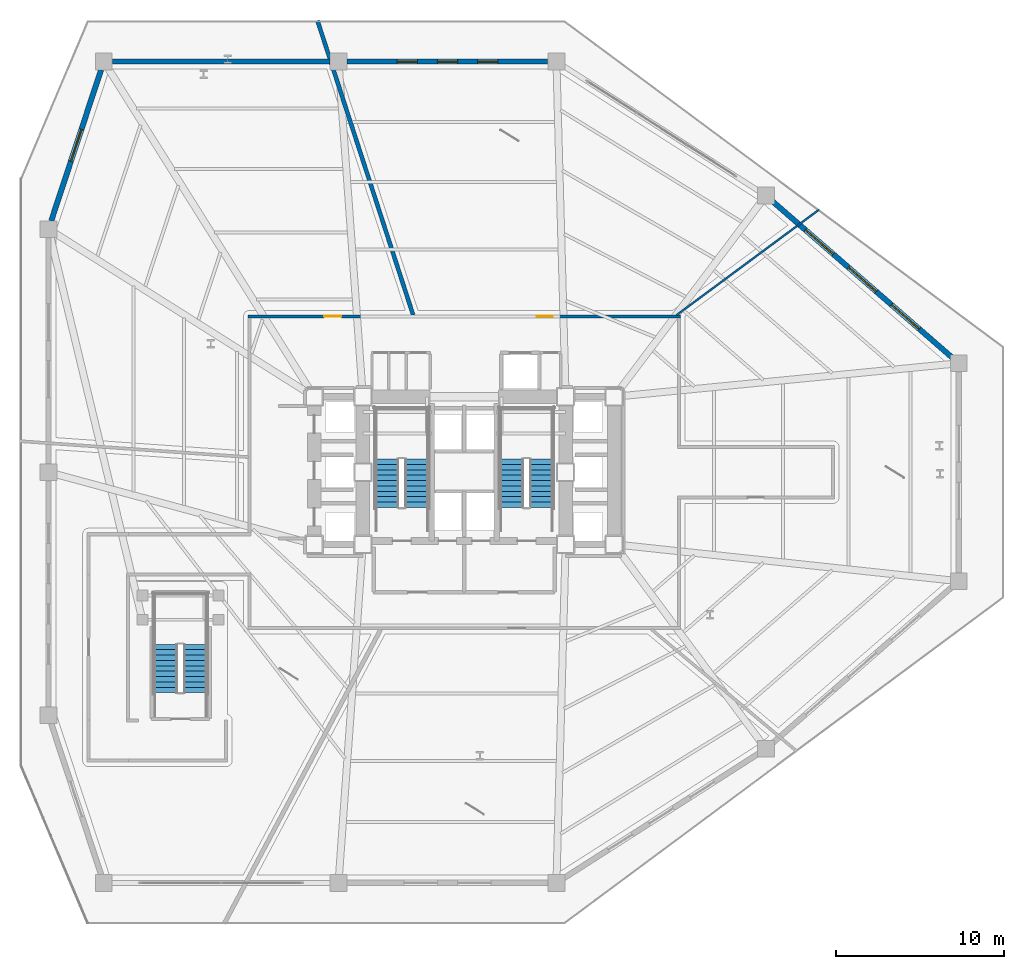
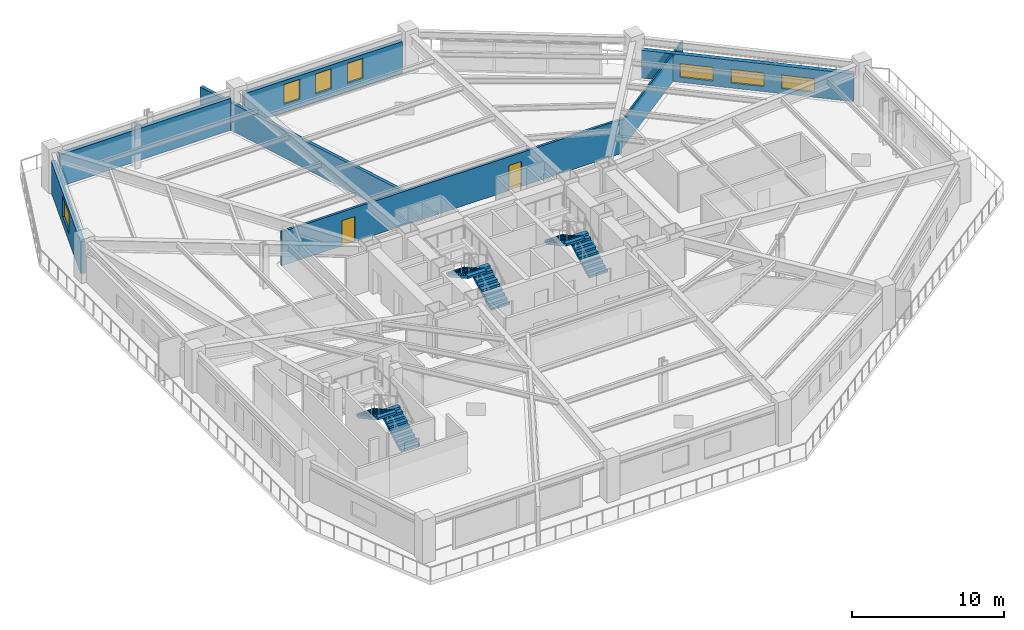
# One storey, part 8 of 12: 7 walls, 7 windows, 6 stair flights, 2 doors, 9 openings, 3 elements without a shape of their own.
"""IFC4 building model written with IfcOpenShell, lengths in metres."""

from ifc_helpers import new_model, si_unit, direction, frame, frame_2d, origin, place, context, subcontext, project, spatial, polyline, rectangle, outline, extrude, material, layer, layer_set, type_object, element, fill, aggregate, save


model = new_model("IFC4")

# Units and contexts
model_context = context("Model", 3, precision=1e-05, world=origin(), true_north=direction((0.0, 1.0)))
body_context = subcontext(model_context, "Body", "Model", "MODEL_VIEW")
ifc_project = project(units=[si_unit("LENGTHUNIT", "METRE"), si_unit("AREAUNIT", "SQUARE_METRE"), si_unit("VOLUMEUNIT", "CUBIC_METRE"), si_unit("PLANEANGLEUNIT", "RADIAN"), si_unit("MASSUNIT", "GRAM", prefix="KILO")], contexts=[model_context])

# Site, building, storey
site_placement = place(None, origin())
site = spatial("IfcSite", under=ifc_project, at=site_placement, CompositionType="ELEMENT")
building_placement = place(site_placement, origin())
building = spatial("IfcBuilding", under=site, at=building_placement, Name="Rocaltana Carrier Exchange", CompositionType="ELEMENT")
storey_placement = place(building_placement, frame((0.0, 0.0, 11.840087890625)))
storey = spatial("IfcBuildingStorey", under=building, at=storey_placement, Name="L04", CompositionType="ELEMENT", Elevation=11.840087890625)

# Wall, openings, doors
ifc_material_1 = material(Name="Gypsum & Steel Stud Partition", Category="steel")
ifc_layer_1 = layer(ifc_material_1, 0.179931640625)
ifc_layer_set_1 = layer_set([ifc_layer_1], Name="Gypsum & Steel Stud Partition")
wall_type_1 = type_object("IfcWallType", Name="Corridor Fire Partition 180 EI60", PredefinedType="PARTITIONING", material=ifc_layer_set_1)
wall_1_placement = place(storey_placement, frame((-12.889892578125, 9.300048828125, 0.0), z_axis=(0.0, 0.0, 1.0), x_axis=(1.0, 0.0, 0.0)))
wall_1 = element("IfcWall", 1, at=wall_1_placement, inside=storey, type_object=wall_type_1, Name="L04 Corridor Partition 8", PredefinedType="PARTITIONING", context=body_context, shape_type="SweptSolid", body=[
    extrude(rectangle(XDim=25.77978515625, YDim=0.179931640625, at=frame_2d((12.889892578125, 0.0))), origin(), (0.0, 0.0, 1.0), 2.719970703125),
])
opening_1_placement = place(wall_1_placement, frame((17.2021484375, 0.0, 0.0)))
opening_1 = element("IfcOpeningElement", 2, at=opening_1_placement, cuts=wall_1, Name="Opening D-RM098", PredefinedType="OPENING", context=body_context, shape_type="SweptSolid", body=[
    extrude(rectangle(XDim=0.9599609375, YDim=2.02001953125, at=frame_2d((0.47998046875, 1.010009765625))), frame((0.0, 0.099853515625, 0.0), z_axis=(0.0, -1.0, 0.0), x_axis=(1.0, 0.0, 0.0)), (0.0, 0.0, 1.0), 0.199951171875),
])
opening_2_placement = place(wall_1_placement, frame((4.539306640625, 0.0, 0.0)))
opening_2 = element("IfcOpeningElement", 3, at=opening_2_placement, cuts=wall_1, Name="Opening D-LB104", PredefinedType="OPENING", context=body_context, shape_type="SweptSolid", body=[
    extrude(rectangle(XDim=1.02001953125, YDim=2.02001953125, at=frame_2d((0.510009765625, 1.010009765625))), frame((0.0, 0.099853515625, 0.0), z_axis=(0.0, -1.0, 0.0), x_axis=(1.0, 0.0, 0.0)), (0.0, 0.0, 1.0), 0.199951171875),
])
ifc_material_2 = material(Name="Powder-Coated Aluminium 6063-T6", Category="aluminium")
door_type_1 = type_object("IfcDoorType", Name="Laboratory Acoustic Door 1020x2020", OperationType="NOTDEFINED", PredefinedType="DOOR", material=ifc_material_2)
door_1_placement = place(opening_2_placement, origin())
door_1 = element("IfcDoor", 4, at=door_1_placement, inside=storey, type_object=door_type_1, Name="L04 Protocol Calibration Laboratory Entrance Door", OperationType="SINGLE_SWING_LEFT", OverallHeight=2.02001953125, OverallWidth=1.02001953125, PredefinedType="DOOR", context=body_context, shape_type="SweptSolid", body=[
    extrude(rectangle(XDim=1.02001953125, YDim=2.02001953125, at=frame_2d((0.510009765625, 1.010009765625))), frame((0.0, 0.02490234375, 0.0), z_axis=(0.0, -1.0, 0.0), x_axis=(1.0, 0.0, 0.0)), (0.0, 0.0, 1.0), 0.050048828125),
])
fill(opening_2, door_1)
ifc_material_3 = material(Name="Engineered Hardwood Timber", Category="wood")
door_type_2 = type_object("IfcDoorType", Name="Workspace Single Door 960x2020", OperationType="NOTDEFINED", PredefinedType="DOOR", material=ifc_material_3)
door_2_placement = place(opening_1_placement, origin())
door_2 = element("IfcDoor", 5, at=door_2_placement, inside=storey, type_object=door_type_2, Name="L04 Peering Conference Room Entrance Door", OperationType="SINGLE_SWING_RIGHT", OverallHeight=2.02001953125, OverallWidth=0.9599609375, PredefinedType="DOOR", context=body_context, shape_type="SweptSolid", body=[
    extrude(rectangle(XDim=0.9599609375, YDim=2.02001953125, at=frame_2d((0.47998046875, 1.010009765625))), frame((0.0, 0.02490234375, 0.0), z_axis=(0.0, -1.0, 0.0), x_axis=(1.0, 0.0, 0.0)), (0.0, 0.0, 1.0), 0.050048828125),
])
fill(opening_1, door_2)

# Walls
ifc_material_4 = material(Name="Aluminium 6063-T6 & Acoustic Glass", Category="aluminium")
ifc_layer_2 = layer(ifc_material_4, 0.114990234375)
ifc_layer_set_2 = layer_set([ifc_layer_2], Name="Aluminium 6063-T6 & Acoustic Glass")
wall_type_2 = type_object("IfcWallType", Name="Demountable Glazed Lab Partition 115", PredefinedType="MOVABLE", material=ifc_layer_set_2)
wall_2_placement = place(storey_placement, frame((12.67626953125, 9.3798828125, 0.0), z_axis=(0.0, 0.0, 1.0), x_axis=(0.803850730109, 0.594831071568, 0.0)))
element("IfcWall", 6, at=wall_2_placement, inside=storey, type_object=wall_type_2, Name="L04 Suite Divider Wall D3", PredefinedType="MOVABLE", context=body_context, shape_type="SweptSolid", body=[
    extrude(rectangle(XDim=10.5751953125, YDim=0.114990234375, at=frame_2d((5.28759765625, 0.0))), origin(), (0.0, 0.0, 1.0), 2.205810546875),
])
ifc_material_5 = material(Name="Acoustic Calcium Silicate Partition", Category="gypsum")
ifc_layer_3 = layer(ifc_material_5, 0.239990234375)
ifc_layer_set_3 = layer_set([ifc_layer_3], Name="Acoustic Calcium Silicate Partition")
wall_type_3 = type_object("IfcWallType", Name="Heavy Lab Partition 240 EI90", PredefinedType="PARTITIONING", material=ifc_layer_set_3)
wall_3_placement = place(storey_placement, frame((-3.047607421875, 9.3798828125, 0.0), z_axis=(0.0, 0.0, 1.0), x_axis=(-0.309026872476, 0.951053306649, 0.0)))
element("IfcWall", 7, at=wall_3_placement, inside=storey, type_object=wall_type_3, Name="L04 Suite Divider Wall D4", PredefinedType="PARTITIONING", context=body_context, shape_type="SweptSolid", body=[
    extrude(rectangle(XDim=18.4638671875, YDim=0.239990234375, at=frame_2d((9.23193359375, 0.0))), origin(), (0.0, 0.0, 1.0), 2.205810546875),
])

# Wall, openings, windows
ifc_material_6 = material(Name="Precast sandstone concrete C45/55", Category="masonry")
ifc_layer_4 = layer(ifc_material_6, 0.320068359375)
ifc_layer_set_4 = layer_set([ifc_layer_4], Name="Precast sandstone concrete C45/55")
wall_type_4 = type_object("IfcWallType", Name="Precast Sandstone Facade Wall 320", PredefinedType="SOLIDWALL", material=ifc_layer_set_4)
wall_4_placement = place(storey_placement, frame((18.392333984375, 16.15869140625, 0.0), z_axis=(0.0, 0.0, 1.0), x_axis=(0.754615886195, -0.656166796098, 0.0)))
wall_4 = element("IfcWall", 8, at=wall_4_placement, inside=storey, type_object=wall_type_4, Name="L04 Sandstone Facade Wall B06", PredefinedType="SOLIDWALL", context=body_context, shape_type="SweptSolid", body=[
    extrude(rectangle(XDim=14.19970703125, YDim=0.320068359375, at=frame_2d((7.099853515625, 0.0))), origin(), (0.0, 0.0, 1.0), 2.220947265625),
])
opening_3_placement = place(wall_4_placement, frame((2.599853515625, 0.0, 0.39990234375)))
opening_3 = element("IfcOpeningElement", 9, at=opening_3_placement, cuts=wall_4, Name="Opening W-04", PredefinedType="OPENING", context=body_context, shape_type="SweptSolid", body=[
    extrude(rectangle(XDim=2.199951171875, YDim=1.10009765625, at=frame_2d((1.10009765625, 0.550048828125))), frame((0.0, 0.169921875, 0.0), z_axis=(0.0, -1.0, 0.0), x_axis=(1.0, 0.0, 0.0)), (0.0, 0.0, 1.0), 0.340087890625),
])
opening_4_placement = place(wall_4_placement, frame((6.0, 0.0, 0.39990234375)))
opening_4 = element("IfcOpeningElement", 10, at=opening_4_placement, cuts=wall_4, Name="Opening W-04", PredefinedType="OPENING", context=body_context, shape_type="SweptSolid", body=[
    extrude(rectangle(XDim=2.199951171875, YDim=1.10009765625, at=frame_2d((1.10009765625, 0.550048828125))), frame((0.0, 0.169921875, 0.0), z_axis=(0.0, -1.0, 0.0), x_axis=(1.0, 0.0, 0.0)), (0.0, 0.0, 1.0), 0.340087890625),
])
opening_5_placement = place(wall_4_placement, frame((9.39990234375, 0.0, 0.39990234375)))
opening_5 = element("IfcOpeningElement", 11, at=opening_5_placement, cuts=wall_4, Name="Opening W-04", PredefinedType="OPENING", context=body_context, shape_type="SweptSolid", body=[
    extrude(rectangle(XDim=2.199951171875, YDim=1.10009765625, at=frame_2d((1.10009765625, 0.550048828125))), frame((0.0, 0.169921875, 0.0), z_axis=(0.0, -1.0, 0.0), x_axis=(1.0, 0.0, 0.0)), (0.0, 0.0, 1.0), 0.340087890625),
])
ifc_material_7 = material(Name="Aluminium 6063-T6 & Double Glazing", Category="aluminium")
window_type_1 = type_object("IfcWindowType", Name="Podium Clerestory Window 2200x1100", PartitioningType="SINGLE_PANEL", PredefinedType="WINDOW", material=ifc_material_7)
window_1_placement = place(opening_3_placement, origin())
window_1 = element("IfcWindow", 12, at=window_1_placement, inside=storey, type_object=window_type_1, Name="L04 Punched Window B06-1", OverallHeight=1.10009765625, OverallWidth=2.199951171875, PartitioningType="SINGLE_PANEL", PredefinedType="WINDOW", context=body_context, shape_type="SweptSolid", body=[
    extrude(rectangle(XDim=2.199951171875, YDim=1.10009765625, at=frame_2d((1.10009765625, 0.550048828125))), frame((0.0, 0.030029296875, 0.0), z_axis=(0.0, -1.0, 0.0), x_axis=(1.0, 0.0, 0.0)), (0.0, 0.0, 1.0), 0.06005859375),
])
fill(opening_3, window_1)
window_2_placement = place(opening_4_placement, origin())
window_2 = element("IfcWindow", 13, at=window_2_placement, inside=storey, type_object=window_type_1, Name="L04 Punched Window B06-2", OverallHeight=1.10009765625, OverallWidth=2.199951171875, PartitioningType="SINGLE_PANEL", PredefinedType="WINDOW", context=body_context, shape_type="SweptSolid", body=[
    extrude(rectangle(XDim=2.199951171875, YDim=1.10009765625, at=frame_2d((1.10009765625, 0.550048828125))), frame((0.0, 0.030029296875, 0.0), z_axis=(0.0, -1.0, 0.0), x_axis=(1.0, 0.0, 0.0)), (0.0, 0.0, 1.0), 0.06005859375),
])
fill(opening_4, window_2)
window_3_placement = place(opening_5_placement, origin())
window_3 = element("IfcWindow", 14, at=window_3_placement, inside=storey, type_object=window_type_1, Name="L04 Punched Window B06-3", OverallHeight=1.10009765625, OverallWidth=2.199951171875, PartitioningType="SINGLE_PANEL", PredefinedType="WINDOW", context=body_context, shape_type="SweptSolid", body=[
    extrude(rectangle(XDim=2.199951171875, YDim=1.10009765625, at=frame_2d((1.10009765625, 0.550048828125))), frame((0.0, 0.030029296875, 0.0), z_axis=(0.0, -1.0, 0.0), x_axis=(1.0, 0.0, 0.0)), (0.0, 0.0, 1.0), 0.06005859375),
])
fill(opening_5, window_3)

wall_5_placement = place(storey_placement, frame((-6.97998046875, 24.5, 0.0), z_axis=(0.0, 0.0, 1.0), x_axis=(1.0, 0.0, 0.0)))
wall_5 = element("IfcWall", 15, at=wall_5_placement, inside=storey, type_object=wall_type_4, Name="L04 Sandstone Facade Wall B08", PredefinedType="SOLIDWALL", context=body_context, shape_type="SweptSolid", body=[
    extrude(rectangle(XDim=11.9599609375, YDim=0.320068359375, at=frame_2d((5.97998046875, 0.0))), origin(), (0.0, 0.0, 1.0), 2.5478515625),
])
opening_6_placement = place(wall_5_placement, frame((2.97998046875, 0.0, 0.64990234375)))
opening_6 = element("IfcOpeningElement", 16, at=opening_6_placement, cuts=wall_5, Name="Opening W-03", PredefinedType="OPENING", context=body_context, shape_type="SweptSolid", body=[
    extrude(rectangle(XDim=1.199951171875, YDim=1.60009765625, at=frame_2d((0.60009765625, 0.800048828125))), frame((0.0, 0.169921875, 0.0), z_axis=(0.0, -1.0, 0.0), x_axis=(1.0, 0.0, 0.0)), (0.0, 0.0, 1.0), 0.340087890625),
])
opening_7_placement = place(wall_5_placement, frame((5.3798828125, 0.0, 0.64990234375)))
opening_7 = element("IfcOpeningElement", 17, at=opening_7_placement, cuts=wall_5, Name="Opening W-03", PredefinedType="OPENING", context=body_context, shape_type="SweptSolid", body=[
    extrude(rectangle(XDim=1.199951171875, YDim=1.60009765625, at=frame_2d((0.60009765625, 0.800048828125))), frame((0.0, 0.169921875, 0.0), z_axis=(0.0, -1.0, 0.0), x_axis=(1.0, 0.0, 0.0)), (0.0, 0.0, 1.0), 0.340087890625),
])
opening_8_placement = place(wall_5_placement, frame((7.780029296875, 0.0, 0.64990234375)))
opening_8 = element("IfcOpeningElement", 18, at=opening_8_placement, cuts=wall_5, Name="Opening W-03", PredefinedType="OPENING", context=body_context, shape_type="SweptSolid", body=[
    extrude(rectangle(XDim=1.199951171875, YDim=1.60009765625, at=frame_2d((0.60009765625, 0.800048828125))), frame((0.0, 0.169921875, 0.0), z_axis=(0.0, -1.0, 0.0), x_axis=(1.0, 0.0, 0.0)), (0.0, 0.0, 1.0), 0.340087890625),
])
ifc_material_8 = material(Name="Aluminium 6063-T6 & Double Glazing", Category="aluminium")
window_type_2 = type_object("IfcWindowType", Name="Podium Narrow Slot Window 1200x1600", PartitioningType="SINGLE_PANEL", PredefinedType="WINDOW", material=ifc_material_8)
window_4_placement = place(opening_6_placement, origin())
window_4 = element("IfcWindow", 19, at=window_4_placement, inside=storey, type_object=window_type_2, Name="L04 Punched Window B08-1", OverallHeight=1.60009765625, OverallWidth=1.199951171875, PartitioningType="SINGLE_PANEL", PredefinedType="WINDOW", context=body_context, shape_type="SweptSolid", body=[
    extrude(rectangle(XDim=1.199951171875, YDim=1.60009765625, at=frame_2d((0.60009765625, 0.800048828125))), frame((0.0, 0.030029296875, 0.0), z_axis=(0.0, -1.0, 0.0), x_axis=(1.0, 0.0, 0.0)), (0.0, 0.0, 1.0), 0.06005859375),
])
fill(opening_6, window_4)
window_5_placement = place(opening_7_placement, origin())
window_5 = element("IfcWindow", 20, at=window_5_placement, inside=storey, type_object=window_type_2, Name="L04 Punched Window B08-2", OverallHeight=1.60009765625, OverallWidth=1.199951171875, PartitioningType="SINGLE_PANEL", PredefinedType="WINDOW", context=body_context, shape_type="SweptSolid", body=[
    extrude(rectangle(XDim=1.199951171875, YDim=1.60009765625, at=frame_2d((0.60009765625, 0.800048828125))), frame((0.0, 0.030029296875, 0.0), z_axis=(0.0, -1.0, 0.0), x_axis=(1.0, 0.0, 0.0)), (0.0, 0.0, 1.0), 0.06005859375),
])
fill(opening_7, window_5)
window_6_placement = place(opening_8_placement, origin())
window_6 = element("IfcWindow", 21, at=window_6_placement, inside=storey, type_object=window_type_2, Name="L04 Punched Window B08-3", OverallHeight=1.60009765625, OverallWidth=1.199951171875, PartitioningType="SINGLE_PANEL", PredefinedType="WINDOW", context=body_context, shape_type="SweptSolid", body=[
    extrude(rectangle(XDim=1.199951171875, YDim=1.60009765625, at=frame_2d((0.60009765625, 0.800048828125))), frame((0.0, 0.030029296875, 0.0), z_axis=(0.0, -1.0, 0.0), x_axis=(1.0, 0.0, 0.0)), (0.0, 0.0, 1.0), 0.06005859375),
])
fill(opening_8, window_6)

# Wall
wall_6_placement = place(storey_placement, frame((-20.97998046875, 24.5, 0.0), z_axis=(0.0, 0.0, 1.0), x_axis=(1.0, 0.0, 0.0)))
element("IfcWall", 22, at=wall_6_placement, inside=storey, type_object=wall_type_4, Name="L04 Sandstone Facade Wall B09", PredefinedType="SOLIDWALL", context=body_context, shape_type="SweptSolid", body=[
    extrude(rectangle(XDim=12.9599609375, YDim=0.320068359375, at=frame_2d((6.47998046875, 0.0))), origin(), (0.0, 0.0, 1.0), 2.5478515625),
])

# Wall, opening, window
wall_7_placement = place(storey_placement, frame((-24.636962890625, 14.993896484375, 0.0), z_axis=(0.0, 0.0, 1.0), x_axis=(0.313363070681, 0.949633395544, 0.0)))
wall_7 = element("IfcWall", 23, at=wall_7_placement, inside=storey, type_object=wall_type_4, Name="L04 Sandstone Facade Wall B10", PredefinedType="SOLIDWALL", context=body_context, shape_type="SweptSolid", body=[
    extrude(rectangle(XDim=9.490234375, YDim=0.320068359375, at=frame_2d((4.7451171875, 0.0))), origin(), (0.0, 0.0, 1.0), 2.5478515625),
])
opening_9_placement = place(wall_7_placement, frame((3.7451171875, 0.0, 0.64990234375)))
opening_9 = element("IfcOpeningElement", 24, at=opening_9_placement, cuts=wall_7, Name="Opening W-01", PredefinedType="OPENING", context=body_context, shape_type="SweptSolid", body=[
    extrude(rectangle(XDim=2.0, YDim=1.60009765625, at=frame_2d((1.0, 0.800048828125))), frame((0.0, 0.169921875, 0.0), z_axis=(0.0, -1.0, 0.0), x_axis=(1.0, 0.0, 0.0)), (0.0, 0.0, 1.0), 0.340087890625),
])
ifc_material_9 = material(Name="Aluminium 6063-T6 & Double Glazing", Category="aluminium")
window_type_3 = type_object("IfcWindowType", Name="Concourse Gallery Window 2000x1600", PartitioningType="SINGLE_PANEL", PredefinedType="WINDOW", material=ifc_material_9)
window_7_placement = place(opening_9_placement, origin())
window_7 = element("IfcWindow", 25, at=window_7_placement, inside=storey, type_object=window_type_3, Name="L04 Punched Window B10-1", OverallHeight=1.60009765625, OverallWidth=2.0, PartitioningType="SINGLE_PANEL", PredefinedType="WINDOW", context=body_context, shape_type="SweptSolid", body=[
    extrude(rectangle(XDim=2.0, YDim=1.60009765625, at=frame_2d((1.0, 0.800048828125))), frame((0.0, 0.030029296875, 0.0), z_axis=(0.0, -1.0, 0.0), x_axis=(1.0, 0.0, 0.0)), (0.0, 0.0, 1.0), 0.06005859375),
])
fill(opening_9, window_7)

# Stair, stair flights
ifc_material_10 = material(Name="Precast concrete C45/55", Category="concrete")
stair_type = type_object("IfcStairType", Name="Standard Dog-Leg Stair 160", PredefinedType="HALF_TURN_STAIR", material=ifc_material_10)
stair_1_placement = place(storey_placement, origin())
stair_1 = element("IfcStair", 26, at=stair_1_placement, inside=storey, type_object=stair_type, Name="L04 Core West Exit Stair ST-1", PredefinedType="HALF_TURN_STAIR")
ifc_material_11 = material(Name="Precast concrete C45/55", Category="concrete")
stair_flight_type = type_object("IfcStairFlightType", Name="Precast Stair Flight 160", PredefinedType="STRAIGHT", material=ifc_material_11)
stair_flight_1_placement = place(storey_placement, frame((-2.840087890625, -2.10009765625, 0.0), z_axis=(0.0, 0.0, 1.0), x_axis=(0.0, 1.0, 0.0)))
stair_flight_1 = element("IfcStairFlight", 27, at=stair_flight_1_placement, type_object=stair_flight_type, Name="ST-1 flight 1", NumberOfRisers=10, NumberOfTreads=9, PredefinedType="STRAIGHT", RiserHeight=0.176, TreadLength=0.32, context=body_context, shape_type="SweptSolid", body=[
    extrude(outline(polyline([(0.0, 0.0), (0.0, 0.176025390625), (0.320068359375, 0.176025390625), (0.320068359375, 0.35205078125), (0.639892578125, 0.35205078125), (0.639892578125, 0.528076171875), (0.9599609375, 0.528076171875), (0.9599609375, 0.7041015625), (1.280029296875, 0.7041015625), (1.280029296875, 0.8798828125), (1.60009765625, 0.8798828125), (1.60009765625, 1.055908203125), (1.919921875, 1.055908203125), (1.919921875, 1.23193359375), (2.239990234375, 1.23193359375), (2.239990234375, 1.407958984375), (2.56005859375, 1.407958984375), (2.56005859375, 1.583984375), (2.8798828125, 1.583984375), (2.8798828125, 1.760009765625), (2.8798828125, 1.401611328125), (0.331787109375, 0.0), (0.0, 0.0)])), frame((0.0, 0.699951171875, 0.0), z_axis=(0.0, -1.0, 0.0), x_axis=(1.0, 0.0, 0.0)), (0.0, 0.0, 1.0), 1.39990234375),
])
stair_flight_2_placement = place(storey_placement, frame((-4.60009765625, 0.780029296875, 1.760009765625), z_axis=(0.0, 0.0, 1.0), x_axis=(0.0, -1.0, 0.0)))
stair_flight_2 = element("IfcStairFlight", 28, at=stair_flight_2_placement, type_object=stair_flight_type, Name="ST-1 flight 2", NumberOfRisers=10, NumberOfTreads=9, PredefinedType="STRAIGHT", RiserHeight=0.176, TreadLength=0.32, context=body_context, shape_type="SweptSolid", body=[
    extrude(outline(polyline([(0.0, 0.0), (0.0, 0.176025390625), (0.320068359375, 0.176025390625), (0.320068359375, 0.35205078125), (0.639892578125, 0.35205078125), (0.639892578125, 0.528076171875), (0.9599609375, 0.528076171875), (0.9599609375, 0.7041015625), (1.280029296875, 0.7041015625), (1.280029296875, 0.8798828125), (1.60009765625, 0.8798828125), (1.60009765625, 1.055908203125), (1.919921875, 1.055908203125), (1.919921875, 1.23193359375), (2.239990234375, 1.23193359375), (2.239990234375, 1.407958984375), (2.56005859375, 1.407958984375), (2.56005859375, 1.583984375), (2.8798828125, 1.583984375), (2.8798828125, 1.760009765625), (2.8798828125, 1.401611328125), (0.331787109375, 0.0), (0.0, 0.0)])), frame((0.0, 0.699951171875, 0.0), z_axis=(0.0, -1.0, 0.0), x_axis=(1.0, 0.0, 0.0)), (0.0, 0.0, 1.0), 1.39990234375),
])
aggregate(stair_1, [stair_flight_1, stair_flight_2])

stair_2_placement = place(storey_placement, origin())
stair_2 = element("IfcStair", 29, at=stair_2_placement, inside=storey, type_object=stair_type, Name="L04 Core East Exit Stair ST-2", PredefinedType="HALF_TURN_STAIR")
stair_flight_3_placement = place(storey_placement, frame((4.60009765625, -2.10009765625, 0.0), z_axis=(0.0, 0.0, 1.0), x_axis=(0.0, 1.0, 0.0)))
stair_flight_3 = element("IfcStairFlight", 30, at=stair_flight_3_placement, type_object=stair_flight_type, Name="ST-2 flight 1", NumberOfRisers=10, NumberOfTreads=9, PredefinedType="STRAIGHT", RiserHeight=0.176, TreadLength=0.32, context=body_context, shape_type="SweptSolid", body=[
    extrude(outline(polyline([(0.0, 0.0), (0.0, 0.176025390625), (0.320068359375, 0.176025390625), (0.320068359375, 0.35205078125), (0.639892578125, 0.35205078125), (0.639892578125, 0.528076171875), (0.9599609375, 0.528076171875), (0.9599609375, 0.7041015625), (1.280029296875, 0.7041015625), (1.280029296875, 0.8798828125), (1.60009765625, 0.8798828125), (1.60009765625, 1.055908203125), (1.919921875, 1.055908203125), (1.919921875, 1.23193359375), (2.239990234375, 1.23193359375), (2.239990234375, 1.407958984375), (2.56005859375, 1.407958984375), (2.56005859375, 1.583984375), (2.8798828125, 1.583984375), (2.8798828125, 1.760009765625), (2.8798828125, 1.401611328125), (0.331787109375, 0.0), (0.0, 0.0)])), frame((0.0, 0.699951171875, 0.0), z_axis=(0.0, -1.0, 0.0), x_axis=(1.0, 0.0, 0.0)), (0.0, 0.0, 1.0), 1.39990234375),
])
stair_flight_4_placement = place(storey_placement, frame((2.840087890625, 0.780029296875, 1.760009765625), z_axis=(0.0, 0.0, 1.0), x_axis=(0.0, -1.0, 0.0)))
stair_flight_4 = element("IfcStairFlight", 31, at=stair_flight_4_placement, type_object=stair_flight_type, Name="ST-2 flight 2", NumberOfRisers=10, NumberOfTreads=9, PredefinedType="STRAIGHT", RiserHeight=0.176, TreadLength=0.32, context=body_context, shape_type="SweptSolid", body=[
    extrude(outline(polyline([(0.0, 0.0), (0.0, 0.176025390625), (0.320068359375, 0.176025390625), (0.320068359375, 0.35205078125), (0.639892578125, 0.35205078125), (0.639892578125, 0.528076171875), (0.9599609375, 0.528076171875), (0.9599609375, 0.7041015625), (1.280029296875, 0.7041015625), (1.280029296875, 0.8798828125), (1.60009765625, 0.8798828125), (1.60009765625, 1.055908203125), (1.919921875, 1.055908203125), (1.919921875, 1.23193359375), (2.239990234375, 1.23193359375), (2.239990234375, 1.407958984375), (2.56005859375, 1.407958984375), (2.56005859375, 1.583984375), (2.8798828125, 1.583984375), (2.8798828125, 1.760009765625), (2.8798828125, 1.401611328125), (0.331787109375, 0.0), (0.0, 0.0)])), frame((0.0, 0.699951171875, 0.0), z_axis=(0.0, -1.0, 0.0), x_axis=(1.0, 0.0, 0.0)), (0.0, 0.0, 1.0), 1.39990234375),
])
aggregate(stair_2, [stair_flight_3, stair_flight_4])

stair_3_placement = place(storey_placement, origin())
stair_3 = element("IfcStair", 32, at=stair_3_placement, inside=storey, type_object=stair_type, Name="L04 Podium Concourse Exit Stair ST-3", PredefinedType="HALF_TURN_STAIR")
stair_flight_5_placement = place(storey_placement, frame((-16.0400390625, -13.14990234375, 0.0), z_axis=(0.0, 0.0, 1.0), x_axis=(0.0, 1.0, 0.0)))
stair_flight_5 = element("IfcStairFlight", 33, at=stair_flight_5_placement, type_object=stair_flight_type, Name="ST-3 flight 1", NumberOfRisers=10, NumberOfTreads=9, PredefinedType="STRAIGHT", RiserHeight=0.176, TreadLength=0.32, context=body_context, shape_type="SweptSolid", body=[
    extrude(outline(polyline([(0.0, 0.0), (0.0, 0.176025390625), (0.320068359375, 0.176025390625), (0.320068359375, 0.35205078125), (0.639892578125, 0.35205078125), (0.639892578125, 0.528076171875), (0.9599609375, 0.528076171875), (0.9599609375, 0.7041015625), (1.280029296875, 0.7041015625), (1.280029296875, 0.8798828125), (1.60009765625, 0.8798828125), (1.60009765625, 1.055908203125), (1.919921875, 1.055908203125), (1.919921875, 1.23193359375), (2.239990234375, 1.23193359375), (2.239990234375, 1.407958984375), (2.56005859375, 1.407958984375), (2.56005859375, 1.583984375), (2.8798828125, 1.583984375), (2.8798828125, 1.760009765625), (2.8798828125, 1.401611328125), (0.331787109375, 0.0), (0.0, 0.0)])), frame((0.0, 0.699951171875, 0.0), z_axis=(0.0, -1.0, 0.0), x_axis=(1.0, 0.0, 0.0)), (0.0, 0.0, 1.0), 1.39990234375),
])
stair_flight_6_placement = place(storey_placement, frame((-17.800048828125, -10.27001953125, 1.760009765625), z_axis=(0.0, 0.0, 1.0), x_axis=(0.0, -1.0, 0.0)))
stair_flight_6 = element("IfcStairFlight", 34, at=stair_flight_6_placement, type_object=stair_flight_type, Name="ST-3 flight 2", NumberOfRisers=10, NumberOfTreads=9, PredefinedType="STRAIGHT", RiserHeight=0.176, TreadLength=0.32, context=body_context, shape_type="SweptSolid", body=[
    extrude(outline(polyline([(0.0, 0.0), (0.0, 0.176025390625), (0.320068359375, 0.176025390625), (0.320068359375, 0.35205078125), (0.639892578125, 0.35205078125), (0.639892578125, 0.528076171875), (0.9599609375, 0.528076171875), (0.9599609375, 0.7041015625), (1.280029296875, 0.7041015625), (1.280029296875, 0.8798828125), (1.60009765625, 0.8798828125), (1.60009765625, 1.055908203125), (1.919921875, 1.055908203125), (1.919921875, 1.23193359375), (2.239990234375, 1.23193359375), (2.239990234375, 1.407958984375), (2.56005859375, 1.407958984375), (2.56005859375, 1.583984375), (2.8798828125, 1.583984375), (2.8798828125, 1.760009765625), (2.8798828125, 1.401611328125), (0.331787109375, 0.0), (0.0, 0.0)])), frame((0.0, 0.699951171875, 0.0), z_axis=(0.0, -1.0, 0.0), x_axis=(1.0, 0.0, 0.0)), (0.0, 0.0, 1.0), 1.39990234375),
])
aggregate(stair_3, [stair_flight_5, stair_flight_6])

save(model, "model.ifc")
